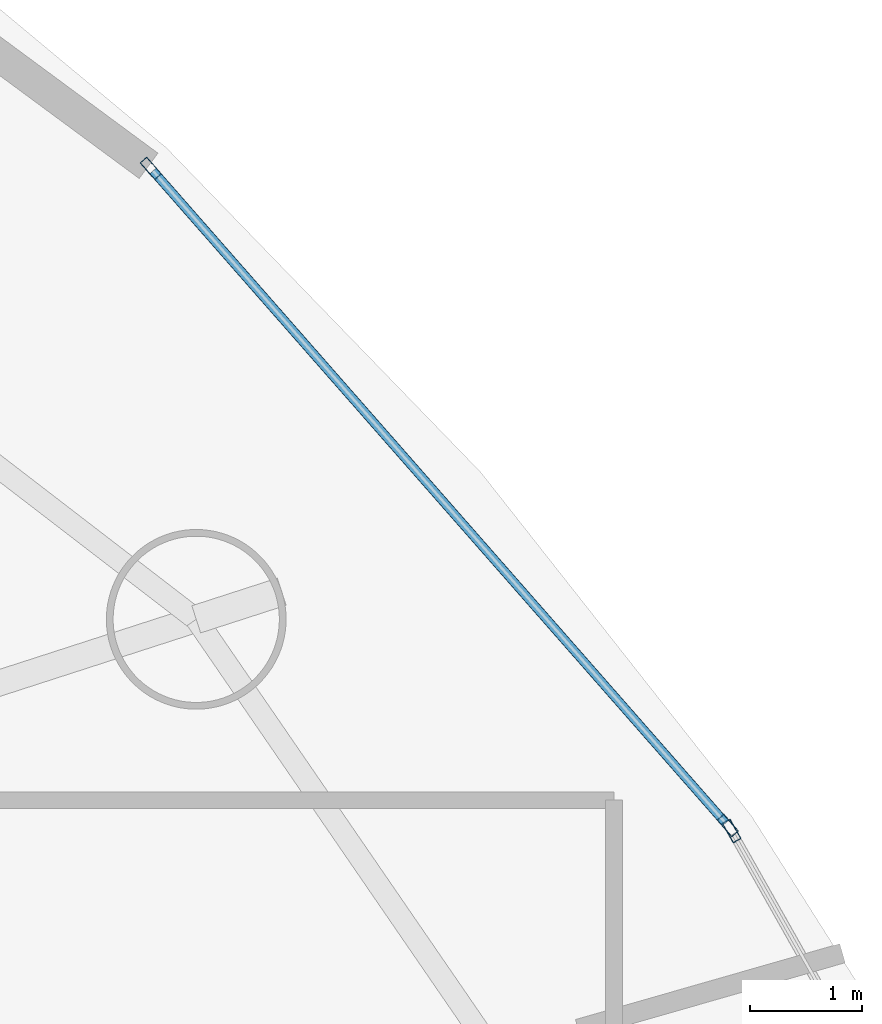
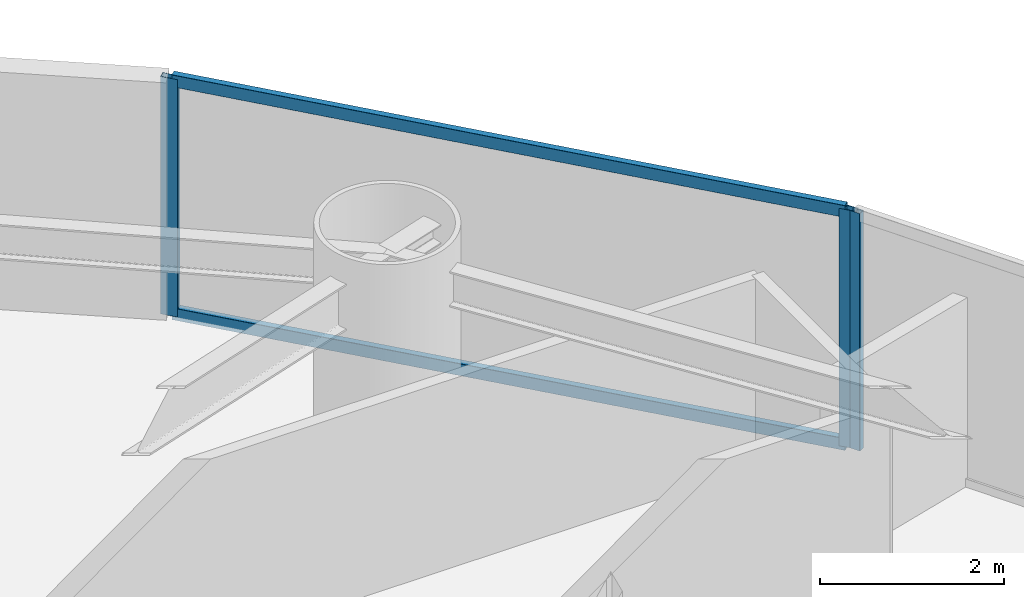
# One storey, part 16 of 25: 5 members, 2 elements without a shape of their own.
"""IFC4 building model written with IfcOpenShell, lengths in metres."""

from ifc_helpers import new_model, si_unit, direction, frame, origin, origin_2d, place, context, subcontext, project, spatial, hollow_rectangle, extrude, material, layer, layer_set, material_profile, profile_set, type_object, element, aggregate, save


model = new_model("IFC4")

# Units and contexts
model_context = context("Model", 3, precision=1e-05, world=origin(), true_north=direction((0.0, 1.0)))
body_context = subcontext(model_context, "Body", "Model", "MODEL_VIEW")
ifc_project = project(units=[si_unit("LENGTHUNIT", "METRE"), si_unit("AREAUNIT", "SQUARE_METRE"), si_unit("VOLUMEUNIT", "CUBIC_METRE"), si_unit("PLANEANGLEUNIT", "RADIAN"), si_unit("MASSUNIT", "GRAM", prefix="KILO")], contexts=[model_context])

# Site, building, storey
site_placement = place(None, origin())
site = spatial("IfcSite", under=ifc_project, at=site_placement, CompositionType="ELEMENT")
building_placement = place(site_placement, origin())
building = spatial("IfcBuilding", under=site, at=building_placement, Name="Bramvorn Convention Spire", CompositionType="ELEMENT")
storey_placement = place(building_placement, frame((0.0, 0.0, 93.89990234375)))
storey = spatial("IfcBuildingStorey", under=building, at=storey_placement, Name="L22", CompositionType="ELEMENT", Elevation=93.89990234375)

# Curtain wall, member
ifc_material_1 = material(Name="Anodised Bronze Unitised Curtain Wall", Category="aluminium")
ifc_layer = layer(ifc_material_1, 0.179931640625)
ifc_layer_set = layer_set([ifc_layer], Name="Anodised Bronze Unitised Curtain Wall - CW-HTL-FRIT")
curtain_wall_type = type_object("IfcCurtainWallType", Name="CW-HTL-FRIT", PredefinedType="USERDEFINED", material=ifc_layer_set)
curtain_wall_1_placement = place(storey_placement, origin())
curtain_wall_1 = element("IfcCurtainWall", 1, at=curtain_wall_1_placement, inside=storey, type_object=curtain_wall_type, Name="L22 fritted glass curtain wall 03", ObjectType="UNITISED CURTAIN WALL", PredefinedType="USERDEFINED")
ifc_material_2 = material(Name="Anodised Bronze Aluminium 6063-T6", Category="aluminium")
ifc_material_profile_1 = material_profile(ifc_material_2, hollow_rectangle(XDim=0.080078125, YDim=0.199951171875, WallThickness=0.00390625, InnerFilletRadius=0.0009765625, OuterFilletRadius=0.00390625, at=origin_2d()))
ifc_profile_set_1 = profile_set([ifc_material_profile_1], Name="Anodised Bronze Aluminium 6063-T6 - CWM80X200")
member_type_1 = type_object("IfcMemberType", Name="CW-MUL-180", PredefinedType="MULLION", material=ifc_profile_set_1)
member_1_placement = place(storey_placement, frame((64.87109375, 35.075927734375, 0.0), z_axis=(0.0, 0.0, 1.0), x_axis=(0.870895349302, 0.491468504143, 0.0)))
member_1 = element("IfcMember", 2, at=member_1_placement, type_object=member_type_1, Name="CW2 mullion 1", PredefinedType="MULLION", context=body_context, shape_type="SweptSolid", body=[
    extrude(hollow_rectangle(XDim=0.080078125, YDim=0.199951171875, WallThickness=0.00390625, InnerFilletRadius=0.0009765625, OuterFilletRadius=0.00390625, at=origin_2d()), origin(), (0.0, 0.0, 1.0), 3.150146484375),
])
aggregate(curtain_wall_1, [member_1])

# Curtain wall, members
curtain_wall_2_placement = place(storey_placement, origin())
curtain_wall_2 = element("IfcCurtainWall", 3, at=curtain_wall_2_placement, inside=storey, type_object=curtain_wall_type, Name="L22 fritted glass curtain wall 04", ObjectType="UNITISED CURTAIN WALL", PredefinedType="USERDEFINED")
member_2_placement = place(storey_placement, frame((59.700439453125, 40.974609375, 0.0), z_axis=(0.0, 0.0, 1.0), x_axis=(0.751470128919, 0.659767114475, 0.0)))
member_2 = element("IfcMember", 4, at=member_2_placement, type_object=member_type_1, Name="CW2 mullion 1", PredefinedType="MULLION", context=body_context, shape_type="SweptSolid", body=[
    extrude(hollow_rectangle(XDim=0.080078125, YDim=0.199951171875, WallThickness=0.00390625, InnerFilletRadius=0.0009765625, OuterFilletRadius=0.00390625, at=origin_2d()), origin(), (0.0, 0.0, 1.0), 3.150146484375),
])
member_3_placement = place(storey_placement, frame((64.836669921875, 35.12451171875, 0.0), z_axis=(0.0, 0.0, 1.0), x_axis=(0.751470128919, 0.659767114475, 0.0)))
member_3 = element("IfcMember", 5, at=member_3_placement, type_object=member_type_1, Name="CW2 mullion 2", PredefinedType="MULLION", context=body_context, shape_type="SweptSolid", body=[
    extrude(hollow_rectangle(XDim=0.080078125, YDim=0.199951171875, WallThickness=0.00390625, InnerFilletRadius=0.0009765625, OuterFilletRadius=0.00390625, at=origin_2d()), origin(), (0.0, 0.0, 1.0), 3.150146484375),
])
ifc_material_profile_2 = material_profile(ifc_material_2, hollow_rectangle(XDim=0.080078125, YDim=0.159912109375, WallThickness=0.00390625, InnerFilletRadius=0.0009765625, OuterFilletRadius=0.00390625, at=origin_2d()))
ifc_profile_set_2 = profile_set([ifc_material_profile_2], Name="Anodised Bronze Aluminium 6063-T6 - CWT80X160")
member_type_2 = type_object("IfcMemberType", Name="CW-TRN-150", PredefinedType="USERDEFINED", material=ifc_profile_set_2)
member_4_placement = place(storey_placement, frame((59.72021484375, 40.9521484375, 0.030029296875), z_axis=(0.659761128755, -0.751475384151, 0.0), x_axis=(0.751475384151, 0.659761128755, 0.0)))
member_4 = element("IfcMember", 6, at=member_4_placement, type_object=member_type_2, Name="CW2 transom 1.1", ObjectType="TRANSOM", PredefinedType="USERDEFINED", context=body_context, shape_type="SweptSolid", body=[
    extrude(hollow_rectangle(XDim=0.080078125, YDim=0.159912109375, WallThickness=0.00390625, InnerFilletRadius=0.0009765625, OuterFilletRadius=0.00390625, at=origin_2d()), origin(), (0.0, 0.0, 1.0), 7.72509765625),
])
member_5_placement = place(storey_placement, frame((59.72021484375, 40.9521484375, 3.1201171875), z_axis=(0.659761128755, -0.751475384151, 0.0), x_axis=(0.751475384151, 0.659761128755, 0.0)))
member_5 = element("IfcMember", 7, at=member_5_placement, type_object=member_type_2, Name="CW2 transom 1.2", ObjectType="TRANSOM", PredefinedType="USERDEFINED", context=body_context, shape_type="SweptSolid", body=[
    extrude(hollow_rectangle(XDim=0.080078125, YDim=0.159912109375, WallThickness=0.00390625, InnerFilletRadius=0.0009765625, OuterFilletRadius=0.00390625, at=origin_2d()), origin(), (0.0, 0.0, 1.0), 7.72509765625),
])
aggregate(curtain_wall_2, [member_2, member_3, member_4, member_5])

save(model, "model.ifc")
